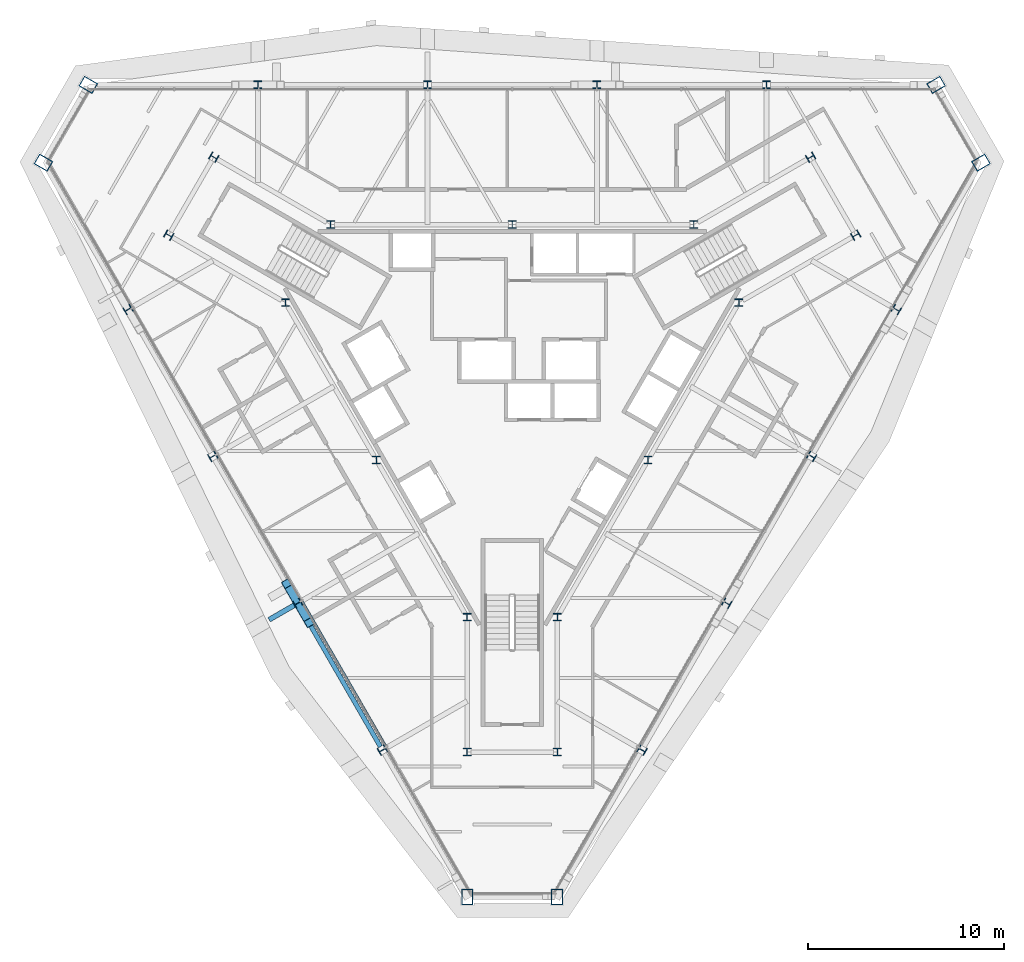
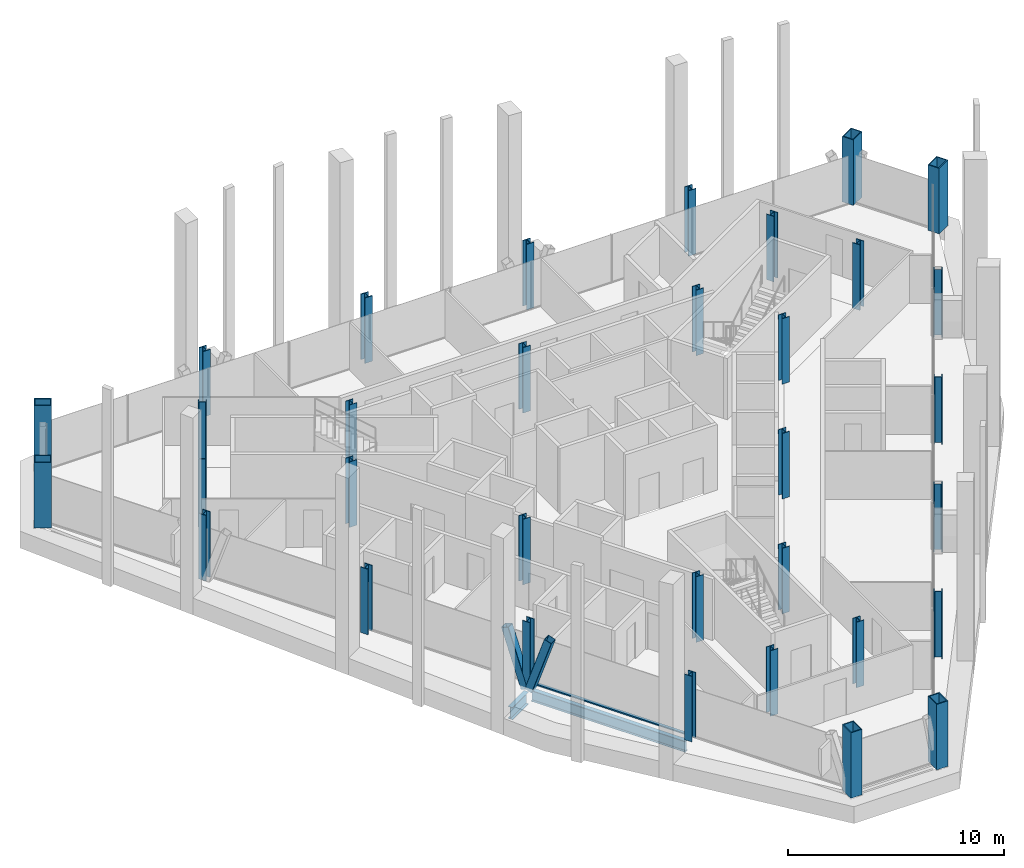
# One storey, part 1 of 14: 33 columns, 3 members, 2 beams, 1 element without a shape of its own.
"""IFC4 building model written with IfcOpenShell, lengths in metres."""

from ifc_helpers import new_model, si_unit, direction, frame, origin, origin_2d, place, context, subcontext, project, spatial, rectangle, hollow_rectangle, i_section, extrude, material, material_profile, profile_set, type_object, element, aggregate, save


model = new_model("IFC4")

# Units and contexts
model_context = context("Model", 3, precision=1e-05, world=origin(), true_north=direction((0.0, 1.0)))
body_context = subcontext(model_context, "Body", "Model", "MODEL_VIEW")
ifc_project = project(units=[si_unit("LENGTHUNIT", "METRE"), si_unit("AREAUNIT", "SQUARE_METRE"), si_unit("VOLUMEUNIT", "CUBIC_METRE"), si_unit("PLANEANGLEUNIT", "RADIAN"), si_unit("MASSUNIT", "GRAM", prefix="KILO")], contexts=[model_context])

# Site, building, storey
site_placement = place(None, origin())
site = spatial("IfcSite", under=ifc_project, at=site_placement, CompositionType="ELEMENT")
building_placement = place(site_placement, origin())
building = spatial("IfcBuilding", under=site, at=building_placement, Name="Verrane Prism Tower", CompositionType="ELEMENT")
storey_placement = place(building_placement, frame((0.0, 0.0, 206.39990234375)))
storey = spatial("IfcBuildingStorey", under=building, at=storey_placement, Name="L51", CompositionType="ELEMENT", Elevation=206.39990234375)

# Columns
ifc_material_1 = material(Name="Steel A992", Category="steel")
ifc_material_profile_1 = material_profile(ifc_material_1, i_section(OverallWidth=0.4013671875, OverallDepth=0.398681640625, WebThickness=0.02490234375, FlangeThickness=0.03955078125, FilletRadius=0.01513671875, at=origin_2d()), Name="W14x211")
ifc_profile_set_1 = profile_set([ifc_material_profile_1], Name="Steel A992")
column_type_1 = type_object("IfcColumnType", Name="Core corner column W14x211", PredefinedType="COLUMN", material=ifc_profile_set_1)
for number, where, z_axis, x_axis, name in (
    (1, (17.52001953125, 7.4599609375, 0.0), (0.0, 0.0, 1.0), (0.5, -0.866025403784, 0.0), "Core corner column CK-NEm L51"),
    (2, (15.219970703125, 11.43994140625, 0.0), (0.0, 0.0, 1.0), (0.5, -0.866025403784, 0.0), "Core corner column CK-NEp L51"),
    (3, (-15.219970703125, 11.43994140625, 0.0), (0.0, 0.0, 1.0), (0.5, 0.866025403784, 0.0), "Core corner column CK-NWm L51"),
    (4, (-17.52001953125, 7.4599609375, 0.0), (0.0, 0.0, 1.0), (0.5, 0.866025403784, 0.0), "Core corner column CK-NWp L51"),
    (5, (-2.300048828125, -18.89990234375, 0.0), (0.0, 0.0, 1.0), (-1.0, 0.0, 0.0), "Core corner column CK-Sm L51"),
    (6, (2.300048828125, -18.89990234375, 0.0), (0.0, 0.0, 1.0), (-1.0, 0.0, 0.0), "Core corner column CK-Sp L51"),
):
    element("IfcColumn", number, at=place(storey_placement, frame(where, z_axis=z_axis, x_axis=x_axis)), inside=storey, type_object=column_type_1, Name=name, PredefinedType="COLUMN", context=body_context, shape_type="SweptSolid", body=[
        extrude(i_section(OverallWidth=0.4013671875, OverallDepth=0.398681640625, WebThickness=0.02490234375, FlangeThickness=0.03955078125, FilletRadius=0.01513671875, at=origin_2d()), origin(), (0.0, 0.0, 1.0), 3.7001953125),
    ])
ifc_material_2 = material(Name="Steel A992", Category="steel")
ifc_material_profile_2 = material_profile(ifc_material_2, i_section(OverallWidth=0.398681640625, OverallDepth=0.385986328125, WebThickness=0.02099609375, FlangeThickness=0.033203125, FilletRadius=0.01513671875, at=origin_2d()), Name="W14x176")
ifc_profile_set_2 = profile_set([ifc_material_profile_2], Name="Steel A992")
column_type_2 = type_object("IfcColumnType", Name="Core side column W14x176", PredefinedType="COLUMN", material=ifc_profile_set_2)
for number, where, z_axis, x_axis, name in (
    (7, (11.56005859375, 4.02001953125, 0.0), (0.0, 0.0, 1.0), (1.0, 0.0, 0.0), "Core side column CC-NEm L51"),
    (8, (9.260009765625, 8.0, 0.0), (0.0, 0.0, 1.0), (1.0, 0.0, 0.0), "Core side column CC-NEp L51"),
    (9, (0.0, 8.0, 0.0), (0.0, 0.0, 1.0), (1.0, 0.0, 0.0), "Core side column CC-N0 L51"),
    (10, (-9.260009765625, 8.0, 0.0), (0.0, 0.0, 1.0), (1.0, 0.0, 0.0), "Core side column CC-NWm L51"),
    (11, (-11.56005859375, 4.02001953125, 0.0), (0.0, 0.0, 1.0), (1.0, 0.0, 0.0), "Core side column CC-NWp L51"),
    (12, (-6.929931640625, -4.0, 0.0), (0.0, 0.0, 1.0), (1.0, 0.0, 0.0), "Core side column CC-SW0 L51"),
    (13, (-2.300048828125, -12.02001953125, 0.0), (0.0, 0.0, 1.0), (1.0, 0.0, 0.0), "Core side column CC-Sm L51"),
    (14, (2.300048828125, -12.02001953125, 0.0), (0.0, 0.0, 1.0), (1.0, 0.0, 0.0), "Core side column CC-Sp L51"),
    (15, (6.929931640625, -4.0, 0.0), (0.0, 0.0, 1.0), (1.0, 0.0, 0.0), "Core side column CC-SE0 L51"),
):
    element("IfcColumn", number, at=place(storey_placement, frame(where, z_axis=z_axis, x_axis=x_axis)), inside=storey, type_object=column_type_2, Name=name, PredefinedType="COLUMN", context=body_context, shape_type="SweptSolid", body=[
        extrude(i_section(OverallWidth=0.398681640625, OverallDepth=0.385986328125, WebThickness=0.02099609375, FlangeThickness=0.033203125, FilletRadius=0.01513671875, at=origin_2d()), origin(), (0.0, 0.0, 1.0), 3.7001953125),
    ])
ifc_material_3 = material(Name="Steel A572 Grade 50", Category="steel")
ifc_material_profile_3 = material_profile(ifc_material_3, hollow_rectangle(XDim=0.60009765625, YDim=0.800048828125, WallThickness=0.050048828125, at=origin_2d()), Name="BOX 800x600x50")
ifc_profile_set_3 = profile_set([ifc_material_profile_3], Name="Steel A572 Grade 50")
column_type_3 = type_object("IfcColumnType", Name="Megacolumn BOX 800x600x50", PredefinedType="COLUMN", material=ifc_profile_set_3)
for number, where, z_axis, x_axis, name in (
    (16, (21.6201171875, 15.1298828125, 0.0), (0.0, 0.0, 1.0), (0.5, -0.866025403784, 0.0), "Megacolumn MC-NE.b L51"),
    (17, (-21.6201171875, 15.1298828125, 0.0), (0.0, 0.0, 1.0), (0.5, 0.866025403784, 0.0), "Megacolumn MC-NW.a L51"),
    (18, (-23.909912109375, 11.159912109375, 0.0), (0.0, 0.0, 1.0), (0.5, 0.866025403784, 0.0), "Megacolumn MC-NW.b L51"),
    (19, (-2.2900390625, -26.2900390625, 0.0), (0.0, 0.0, 1.0), (-1.0, 0.0, 0.0), "Megacolumn MC-S.a L51"),
    (20, (2.2900390625, -26.2900390625, 0.0), (0.0, 0.0, 1.0), (-1.0, 0.0, 0.0), "Megacolumn MC-S.b L51"),
    (21, (23.909912109375, 11.159912109375, 0.0), (0.0, 0.0, 1.0), (0.5, -0.866025403784, 0.0), "Megacolumn MC-NE.a L51"),
):
    element("IfcColumn", number, at=place(storey_placement, frame(where, z_axis=z_axis, x_axis=x_axis)), inside=storey, type_object=column_type_3, Name=name, PredefinedType="COLUMN", context=body_context, shape_type="SweptSolid", body=[
        extrude(hollow_rectangle(XDim=0.60009765625, YDim=0.800048828125, WallThickness=0.050048828125, at=origin_2d()), origin(), (0.0, 0.0, 1.0), 3.7001953125),
    ])
ifc_material_4 = material(Name="Steel A992", Category="steel")
ifc_material_profile_4 = material_profile(ifc_material_4, i_section(OverallWidth=0.4013671875, OverallDepth=0.398681640625, WebThickness=0.02490234375, FlangeThickness=0.03955078125, FilletRadius=0.01513671875, at=origin_2d()), Name="W14x211")
ifc_profile_set_4 = profile_set([ifc_material_profile_4], Name="Steel A992")
column_type_4 = type_object("IfcColumnType", Name="Perimeter column W14x211", PredefinedType="COLUMN", material=ifc_profile_set_4)
for number, where, z_axis, x_axis, name in (
    (22, (12.969970703125, 15.1298828125, 0.0), (0.0, 0.0, 1.0), (1.0, 0.0, 0.0), "Perimeter column PC-N1 L51"),
    (23, (4.320068359375, 15.1298828125, 0.0), (0.0, 0.0, 1.0), (1.0, 0.0, 0.0), "Perimeter column PC-N2 L51"),
    (24, (-4.320068359375, 15.1298828125, 0.0), (0.0, 0.0, 1.0), (1.0, 0.0, 0.0), "Perimeter column PC-N3 L51"),
    (25, (-12.969970703125, 15.1298828125, 0.0), (0.0, 0.0, 1.0), (1.0, 0.0, 0.0), "Perimeter column PC-N4 L51"),
    (26, (-19.590087890625, 3.669921875, 0.0), (0.0, 0.0, 1.0), (-0.5, 0.866025403784, 0.0), "Perimeter column PC-SW1 L51"),
    (27, (-15.27001953125, -3.820068359375, 0.0), (0.0, 0.0, 1.0), (-0.5, 0.866025403784, 0.0), "Perimeter column PC-SW2 L51"),
    (28, (-10.93994140625, -11.31005859375, 0.0), (0.0, 0.0, 1.0), (-0.5, 0.866025403784, 0.0), "Perimeter column PC-SW3 L51"),
    (29, (-6.6201171875, -18.800048828125, 0.0), (0.0, 0.0, 1.0), (-0.5, 0.866025403784, 0.0), "Perimeter column PC-SW4 L51"),
    (30, (6.6201171875, -18.800048828125, 0.0), (0.0, 0.0, 1.0), (-0.5, -0.866025403784, 0.0), "Perimeter column PC-SE1 L51"),
    (31, (10.93994140625, -11.31005859375, 0.0), (0.0, 0.0, 1.0), (-0.5, -0.866025403784, 0.0), "Perimeter column PC-SE2 L51"),
    (32, (15.27001953125, -3.820068359375, 0.0), (0.0, 0.0, 1.0), (-0.5, -0.866025403784, 0.0), "Perimeter column PC-SE3 L51"),
    (33, (19.590087890625, 3.669921875, 0.0), (0.0, 0.0, 1.0), (-0.5, -0.866025403784, 0.0), "Perimeter column PC-SE4 L51"),
):
    element("IfcColumn", number, at=place(storey_placement, frame(where, z_axis=z_axis, x_axis=x_axis)), inside=storey, type_object=column_type_4, Name=name, PredefinedType="COLUMN", context=body_context, shape_type="SweptSolid", body=[
        extrude(i_section(OverallWidth=0.4013671875, OverallDepth=0.398681640625, WebThickness=0.02490234375, FlangeThickness=0.03955078125, FilletRadius=0.01513671875, at=origin_2d()), origin(), (0.0, 0.0, 1.0), 3.7001953125),
    ])

# Members
ifc_material_5 = material(Name="Steel A500 Grade C", Category="steel")
ifc_material_profile_5 = material_profile(ifc_material_5, hollow_rectangle(XDim=0.406494140625, YDim=0.406494140625, WallThickness=0.01904296875, InnerFilletRadius=0.009521484375, OuterFilletRadius=0.028564453125, at=origin_2d()), Name="HSS16x16x3/4")
ifc_profile_set_5 = profile_set([ifc_material_profile_5], Name="Steel A500 Grade C")
member_type_1 = type_object("IfcMemberType", Name="Facade brace HSS16x16x3/4", PredefinedType="BRACE", material=ifc_profile_set_5)
member_1_placement = place(storey_placement, frame((-10.989501953125, -11.22412109375, -0.171630859375), z_axis=(-0.158652579434, 0.274316849942, 0.94846171503), x_axis=(-0.865648469128, -0.500652302397, 0.0)))
element("IfcMember", 34, at=member_1_placement, inside=storey, type_object=member_type_1, Name="Facade brace SW2 L51", PredefinedType="BRACE", context=body_context, shape_type="SweptSolid", body=[
    extrude(hollow_rectangle(XDim=0.406494140625, YDim=0.406494140625, WallThickness=0.01904296875, InnerFilletRadius=0.009521484375, OuterFilletRadius=0.028564453125, at=origin_2d()), origin(), (0.0, 0.0, 1.0), 3.322265625),
])
member_2_placement = place(storey_placement, frame((-10.890380859375, -11.39599609375, -0.171630859375), z_axis=(0.158154263808, -0.274271241883, 0.948558124057), x_axis=(0.866293770924, 0.499534886128, 0.0)))
element("IfcMember", 35, at=member_2_placement, inside=storey, type_object=member_type_1, Name="Facade brace SW3 L51", PredefinedType="BRACE", context=body_context, shape_type="SweptSolid", body=[
    extrude(hollow_rectangle(XDim=0.406494140625, YDim=0.406494140625, WallThickness=0.01904296875, InnerFilletRadius=0.009521484375, OuterFilletRadius=0.028564453125, at=origin_2d()), origin(), (0.0, 0.0, 1.0), 3.322021484375),
])

# Beams
ifc_material_6 = material(Name="Steel A992", Category="steel")
ifc_material_profile_6 = material_profile(ifc_material_6, i_section(OverallWidth=0.25390625, OverallDepth=0.683349609375, WebThickness=0.012451171875, FlangeThickness=0.01904296875, FilletRadius=0.01513671875, at=origin_2d()), Name="W27x94")
ifc_profile_set_6 = profile_set([ifc_material_profile_6], Name="Steel A992")
beam_type_1 = type_object("IfcBeamType", Name="Radial girder W27x94", PredefinedType="BEAM", material=ifc_profile_set_6)
beam_1_placement = place(storey_placement, frame((-11.109130859375, -11.40771484375, -0.5615234375), z_axis=(-0.866054481515, -0.499949632511, 0.0), x_axis=(0.499949632511, -0.866054481515, 0.0)))
element("IfcBeam", 36, at=beam_1_placement, inside=storey, type_object=beam_type_1, Name="Cantilever girder L51", PredefinedType="BEAM", context=body_context, shape_type="SweptSolid", body=[
    extrude(i_section(OverallWidth=0.25390625, OverallDepth=0.683349609375, WebThickness=0.012451171875, FlangeThickness=0.01904296875, FilletRadius=0.01513671875, at=origin_2d()), origin(), (0.0, 0.0, 1.0), 1.488525390625),
])
ifc_material_7 = material(Name="Steel A992", Category="steel")
ifc_material_profile_7 = material_profile(ifc_material_7, i_section(OverallWidth=0.23046875, OverallDepth=0.6171875, WebThickness=0.01318359375, FlangeThickness=0.022216796875, FilletRadius=0.012939453125, at=origin_2d()), Name="W24x94")
ifc_profile_set_7 = profile_set([ifc_material_profile_7], Name="Steel A992")
beam_type_2 = type_object("IfcBeamType", Name="Spandrel beam W24x94", PredefinedType="SPANDREL", material=ifc_profile_set_7)
beam_2_placement = place(storey_placement, frame((-10.839599609375, -11.48388671875, -0.468505859375), z_axis=(0.499613933384, -0.866248184742, 0.0), x_axis=(0.866248184742, 0.499613933384, 0.0)))
element("IfcBeam", 37, at=beam_2_placement, inside=storey, type_object=beam_type_2, Name="Spandrel beam L51", PredefinedType="SPANDREL", context=body_context, shape_type="SweptSolid", body=[
    extrude(i_section(OverallWidth=0.23046875, OverallDepth=0.6171875, WebThickness=0.01318359375, FlangeThickness=0.022216796875, FilletRadius=0.012939453125, at=origin_2d()), origin(), (0.0, 0.0, 1.0), 8.2451171875),
])

# Curtain wall, member
ifc_material_8 = material(Name="Aluminium framed insulated glazing", Category="aluminium")
curtain_wall_type = type_object("IfcCurtainWallType", Name="Curtain wall CW-A 8400 module", PredefinedType="NOTDEFINED", material=ifc_material_8)
curtain_wall_placement = place(storey_placement, origin())
curtain_wall = element("IfcCurtainWall", 38, at=curtain_wall_placement, inside=storey, type_object=curtain_wall_type, Name="Glazed curtain wall south-west face L51", PredefinedType="NOTDEFINED")
ifc_material_9 = material(Name="Aluminium alloy 6063-T6", Category="aluminium")
ifc_material_profile_8 = material_profile(ifc_material_9, rectangle(XDim=0.14990234375, YDim=0.070068359375, at=origin_2d()), Name="Transom 70x150 aluminium")
ifc_profile_set_8 = profile_set([ifc_material_profile_8], Name="Aluminium alloy 6063-T6")
member_type_2 = type_object("IfcMemberType", Name="Transom 70x150 aluminium", PredefinedType="USERDEFINED", material=ifc_profile_set_8)
member_3_placement = place(storey_placement, frame((-10.732666015625, -11.2138671875, 0.03515625), z_axis=(0.499999279071, -0.866025820012, 0.0), x_axis=(0.866025820012, 0.499999279071, 0.0)))
member_3 = element("IfcMember", 39, at=member_3_placement, type_object=member_type_2, Name="CW51.4 transom 4", ObjectType="TRANSOM", PredefinedType="USERDEFINED", context=body_context, shape_type="SweptSolid", body=[
    extrude(rectangle(XDim=0.14990234375, YDim=0.070068359375, at=origin_2d()), origin(), (0.0, 0.0, 1.0), 8.55029296875),
])
aggregate(curtain_wall, [member_3])

save(model, "model.ifc")
